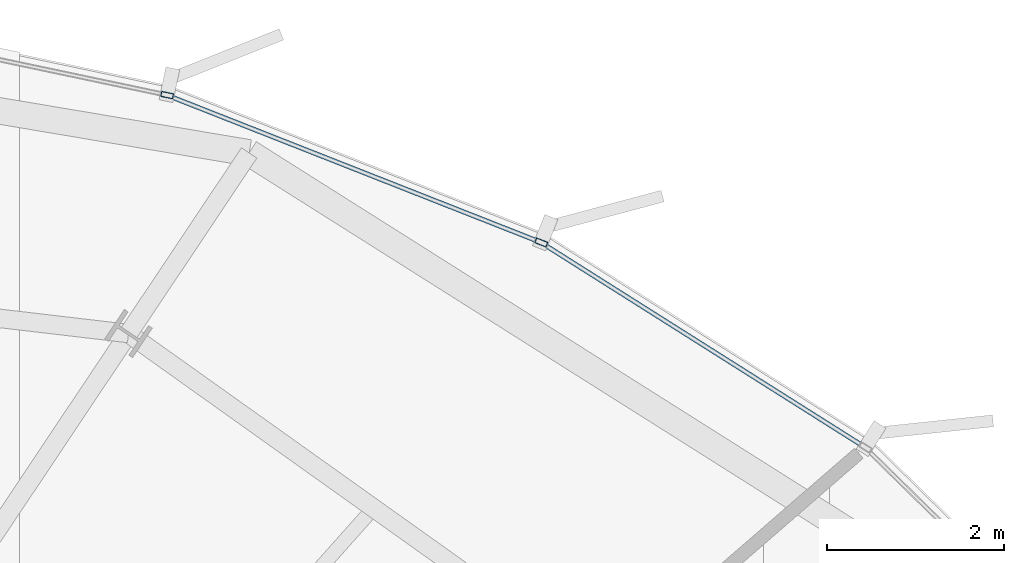
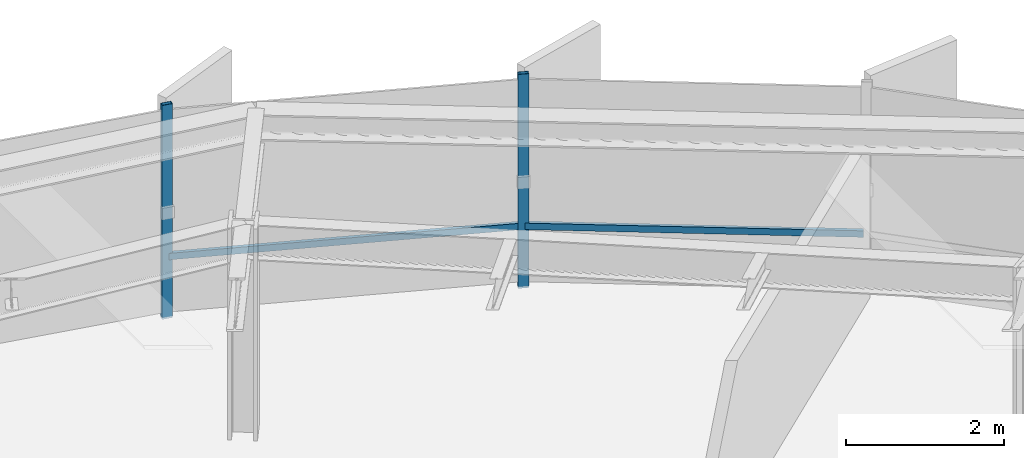
# One storey, part 25 of 35: 4 members, 1 element without a shape of its own.
"""IFC4 building model written with IfcOpenShell, lengths in metres."""

from ifc_helpers import new_model, si_unit, direction, frame, origin, origin_2d, place, context, subcontext, project, spatial, hollow_rectangle, extrude, source, transform, mapped, material, layer, layer_set, material_profile, profile_set, type_object, element, aggregate, save


model = new_model("IFC4")

# Units and contexts
model_context = context("Model", 3, precision=1e-05, world=origin(), true_north=direction((0.0, 1.0)))
body_context = subcontext(model_context, "Body", "Model", "MODEL_VIEW")
ifc_project = project(units=[si_unit("LENGTHUNIT", "METRE"), si_unit("AREAUNIT", "SQUARE_METRE"), si_unit("VOLUMEUNIT", "CUBIC_METRE"), si_unit("PLANEANGLEUNIT", "RADIAN"), si_unit("MASSUNIT", "GRAM", prefix="KILO"), si_unit("THERMODYNAMICTEMPERATUREUNIT", "KELVIN")], contexts=[model_context])

# Site, building, storey
site_placement = place(None, origin())
site = spatial("IfcSite", under=ifc_project, at=site_placement, CompositionType="ELEMENT")
building_placement = place(site_placement, origin())
building = spatial("IfcBuilding", under=site, at=building_placement, Name="Kethvar Cultural Tower", CompositionType="ELEMENT")
storey_placement = place(building_placement, frame((0.0, 0.0, 135.89990234375)))
storey = spatial("IfcBuildingStorey", under=building, at=storey_placement, Name="L34", CompositionType="ELEMENT", Elevation=135.89990234375)

# Curtain wall, members
ifc_material = material(Name="Aluminium 6063-T6", Category="aluminium")
ifc_layer = layer(ifc_material, 0.179931640625, Name="Aluminium 6063-T6", Category="aluminium")
ifc_layer_set = layer_set([ifc_layer], Name="Aluminium 6063-T6 (180 mm)")
curtain_wall_type = type_object("IfcCurtainWallType", Name="CW-SYS-04-Z34", PredefinedType="NOTDEFINED", material=ifc_layer_set)
curtain_wall_placement = place(storey_placement, origin())
curtain_wall = element("IfcCurtainWall", 1, at=curtain_wall_placement, inside=storey, type_object=curtain_wall_type, Name="L34 Curtain Wall Run 01", PredefinedType="NOTDEFINED")
ifc_material_profile_1 = material_profile(ifc_material, hollow_rectangle(XDim=0.06005859375, YDim=0.139892578125, WallThickness=0.0048828125, at=origin_2d()), Name="Aluminium 6063-T6 — RHS140x60x5")
ifc_profile_set_1 = profile_set([ifc_material_profile_1], Name="Aluminium 6063-T6 — RHS140x60x5")
member_type_1 = type_object("IfcMemberType", Name="CW-SYS-04-Z34-MUL", PredefinedType="MULLION", material=ifc_profile_set_1)
shared_shape_1 = source(origin(), body_context, "Body", "SweptSolid", [
    extrude(hollow_rectangle(XDim=0.06005859375, YDim=0.139892578125, WallThickness=0.0048828125, at=origin_2d()), origin(), (0.0, 0.0, 1.0), 3.300048828125),
])
member_1_placement = place(storey_placement, frame((65.079345703125, 49.19189453125, 0.0), z_axis=(0.0, 0.0, 1.0), x_axis=(-0.366273871886, -0.93050709335, 0.0)))
member_1 = element("IfcMember", 2, at=member_1_placement, type_object=member_type_1, Name="CW-L34-R01 Mullion 4", PredefinedType="MULLION", context=body_context, shape_type="MappedRepresentation", body=[
    mapped(shared_shape_1, transform((0.0, 0.0, 0.0), scale=1.0)),
])
member_2_placement = place(storey_placement, frame((60.8427734375, 50.861083984375, 0.0), z_axis=(0.0, 0.0, 1.0), x_axis=(-0.206494505776, -0.978447760018, 0.0)))
member_2 = element("IfcMember", 3, at=member_2_placement, type_object=member_type_1, Name="CW-L34-R01 Mullion 5", PredefinedType="MULLION", context=body_context, shape_type="MappedRepresentation", body=[
    mapped(shared_shape_1, transform((0.0, 0.0, 0.0), scale=1.0)),
])
ifc_material_profile_2 = material_profile(ifc_material, hollow_rectangle(XDim=0.050048828125, YDim=0.10009765625, WallThickness=0.00390625, at=origin_2d()), Name="Aluminium 6063-T6 — RHS100x50x4")
ifc_profile_set_2 = profile_set([ifc_material_profile_2], Name="Aluminium 6063-T6 — RHS100x50x4")
member_type_2 = type_object("IfcMemberType", Name="CW-SYS-04-Z34-TRN", PredefinedType="USERDEFINED", material=ifc_profile_set_2)
shared_shape_2 = source(origin(), body_context, "Body", "SweptSolid", [
    extrude(hollow_rectangle(XDim=0.050048828125, YDim=0.10009765625, WallThickness=0.00390625, at=origin_2d()), origin(), (0.0, 0.0, 1.0), 4.2783203125),
])
member_3_placement = place(storey_placement, frame((68.71435546875, 46.89306640625, 0.9501953125), z_axis=(-0.845433301441, 0.53408101709, 0.0), x_axis=(-0.53408101709, -0.845433301441, 0.0)))
member_3 = element("IfcMember", 4, at=member_3_placement, type_object=member_type_2, Name="CW-L34-R01 Transom 3", ObjectType="TRANSOM", PredefinedType="USERDEFINED", context=body_context, shape_type="MappedRepresentation", body=[
    mapped(shared_shape_2, transform((0.0, 0.0, 0.0), scale=1.0)),
])
shared_shape_3 = source(origin(), body_context, "Body", "SweptSolid", [
    extrude(hollow_rectangle(XDim=0.050048828125, YDim=0.10009765625, WallThickness=0.00390625, at=origin_2d()), origin(), (0.0, 0.0, 1.0), 4.4853515625),
])
member_4_placement = place(storey_placement, frame((65.0390625, 49.207763671875, 0.9501953125), z_axis=(-0.930508481124, 0.36627034627, 0.0), x_axis=(-0.36627034627, -0.930508481124, 0.0)))
member_4 = element("IfcMember", 5, at=member_4_placement, type_object=member_type_2, Name="CW-L34-R01 Transom 4", ObjectType="TRANSOM", PredefinedType="USERDEFINED", context=body_context, shape_type="MappedRepresentation", body=[
    mapped(shared_shape_3, transform((0.0, 0.0, 0.0), scale=1.0)),
])
aggregate(curtain_wall, [member_1, member_2, member_3, member_4])

save(model, "model.ifc")
